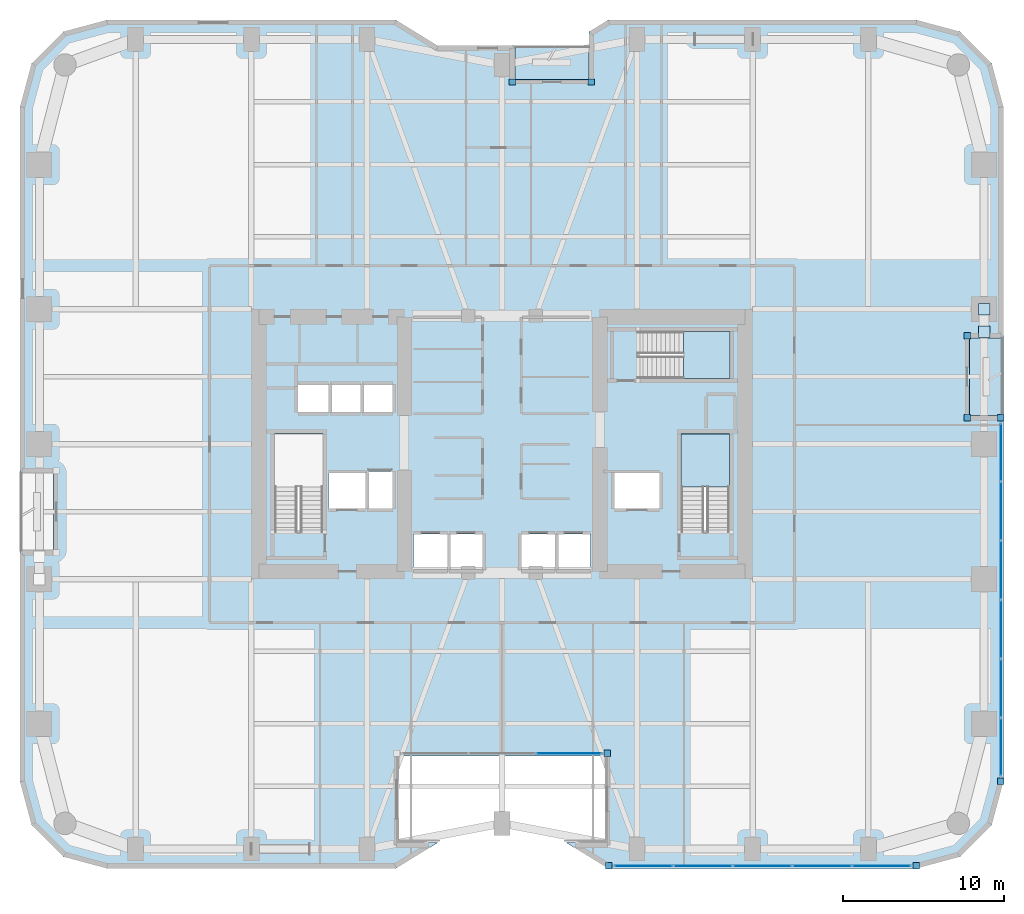
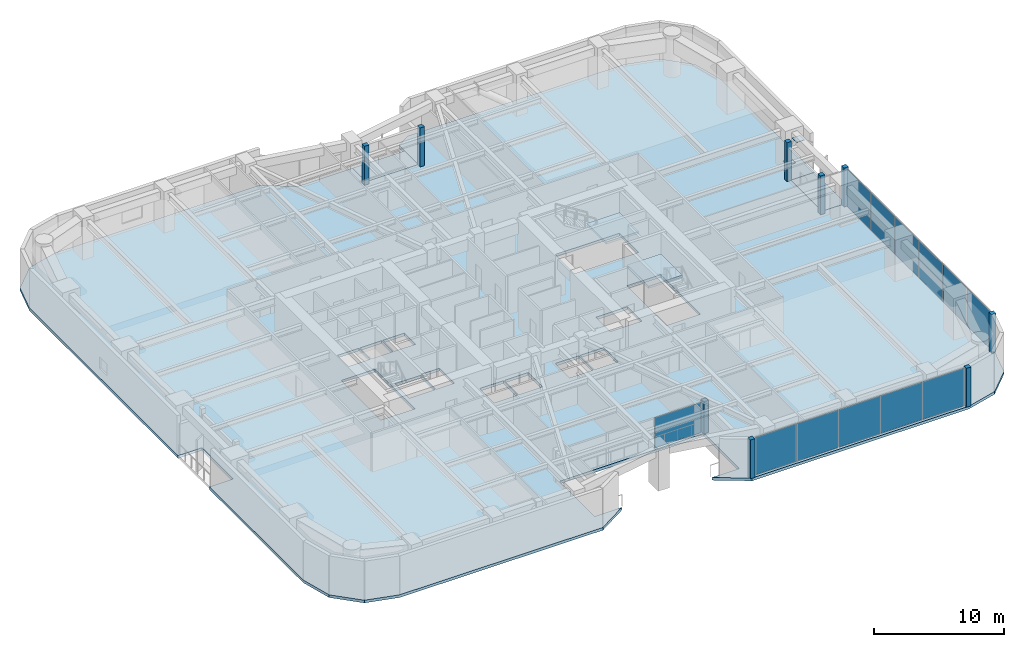
# One storey, part 16 of 26: 23 plates, 5 slabs, 5 elements without a shape of their own.
"""IFC4 building model written with IfcOpenShell, lengths in metres."""

import ifcopenshell
import ifcopenshell.guid

model = None  # the IFC model being written
_history = None  # IfcOwnerHistory: only IFC2X3 demands one
_inside = {}  # id of a spatial element -> (the spatial element, [elements in it])
_under = {}  # id of a project, library or spatial element -> (it, [spatial elements below it])
_declared = {}  # id of a project -> (the project, [libraries it declares])
_typed = {}  # id of a type object -> (the type object, [elements of that type])
_made_of = {}  # id of a material, layer set ... -> (it, [elements and type objects made of it])


def new_model(schema):
    """Start an empty IFC model of exactly this schema.

    Asked for "IFC4X3", IfcOpenShell would pick the latest addendum, in which some entities
    have other attributes; the version numbers below select the first issue.
    IFC2X3 requires an IfcOwnerHistory on every rooted entity: one is made here for all.
    """
    global model, _history
    if schema == "IFC4X3":
        model = ifcopenshell.file(schema_version=(4, 3, 0, 0))
    else:
        model = ifcopenshell.file(schema=schema)
    _inside.clear()
    _under.clear()
    _declared.clear()
    _typed.clear()
    _made_of.clear()
    _history = None
    if model.schema == "IFC2X3":
        org = make("IfcOrganization", Name="unknown")
        user = make(
            "IfcPersonAndOrganization",
            ThePerson=make("IfcPerson", FamilyName="unknown"),
            TheOrganization=org,
        )
        app = make(
            "IfcApplication",
            ApplicationDeveloper=org,
            Version="unknown",
            ApplicationFullName="unknown",
            ApplicationIdentifier="unknown",
        )
        _history = make(
            "IfcOwnerHistory",
            OwningUser=user,
            OwningApplication=app,
            ChangeAction="ADDED",
            CreationDate=0,
        )
    return model


def make(cls, **values):
    """One entity of the class cls with the attributes given. An attribute that is None is left unset."""
    return model.create_entity(
        cls, **{name: value for name, value in values.items() if value is not None}
    )


def rooted(cls, **values):
    """An entity with a GlobalId (a new one), such as an element, a storey or a relation."""
    return make(cls, GlobalId=ifcopenshell.guid.new(), OwnerHistory=_history, **values)


def si_unit(unit_type, name, prefix=None):
    """IfcSIUnit, for example si_unit("LENGTHUNIT", "METRE", prefix="MILLI")."""
    return make("IfcSIUnit", UnitType=unit_type, Prefix=prefix, Name=name)


def assignment(units):
    """IfcUnitAssignment: the units of a project."""
    return None if units is None else make("IfcUnitAssignment", Units=units)


def point(xyz):
    """IfcCartesianPoint."""
    return None if xyz is None else make("IfcCartesianPoint", Coordinates=xyz)


def direction(xyz):
    """IfcDirection."""
    return None if xyz is None else make("IfcDirection", DirectionRatios=xyz)


def frame(location, z_axis=None, x_axis=None):
    """IfcAxis2Placement3D, a coordinate frame: its origin and axes. An axis left out is left unset."""
    return make(
        "IfcAxis2Placement3D",
        Location=point(location),
        Axis=direction(z_axis),
        RefDirection=direction(x_axis),
    )


def frame_2d(location, x_axis=None):
    """IfcAxis2Placement2D, a coordinate frame in the plane: its origin and x axis."""
    return make(
        "IfcAxis2Placement2D", Location=point(location), RefDirection=direction(x_axis)
    )


def origin():
    """The frame at (0, 0, 0) with its axes left unset."""
    return frame((0.0, 0.0, 0.0))


def origin_2d():
    """The frame at (0, 0) in the plane with its x axis left unset."""
    return frame_2d((0.0, 0.0))


def place(relative_to, where):
    """IfcLocalPlacement: puts the frame where relative to a parent placement (None: the world)."""
    return make(
        "IfcLocalPlacement", PlacementRelTo=relative_to, RelativePlacement=where
    )


def context(
    kind, dimensions, precision=None, world=None, true_north=None, identifier=None
):
    """IfcGeometricRepresentationContext, for example the 3D "Model" context."""
    return make(
        "IfcGeometricRepresentationContext",
        ContextIdentifier=identifier,
        ContextType=kind,
        CoordinateSpaceDimension=dimensions,
        Precision=precision,
        WorldCoordinateSystem=world,
        TrueNorth=true_north,
    )


def subcontext(parent, identifier, kind, view, scale=None):
    """IfcGeometricRepresentationSubContext, for example "Body" below "Model"."""
    return make(
        "IfcGeometricRepresentationSubContext",
        ContextIdentifier=identifier,
        ContextType=kind,
        ParentContext=parent,
        TargetScale=scale,
        TargetView=view,
    )


def project(units=None, contexts=None):
    """IfcProject with its units and contexts."""
    return rooted(
        "IfcProject",
        Name="project",
        RepresentationContexts=contexts,
        UnitsInContext=assignment(units),
    )


def spatial(cls, under=None, at=None, **own):
    """A site, building, storey or space (cls), placed at a placement, below another one or the project."""
    s = rooted(cls, ObjectPlacement=at, **own)
    if under is not None:
        _under.setdefault(under.id(), (under, []))[1].append(s)
    return s


def polyline(points):
    """IfcPolyline through the points."""
    return make("IfcPolyline", Points=[point(p) for p in points])


def profile(cls, at=None, kind="AREA", **sizes):
    """A parametric profile (cls). Its sizes go by their IFC names, for example OverallWidth=200.0."""
    return make(cls, ProfileType=kind, Position=at, **sizes)


def rectangle(**sizes):
    """IfcRectangleProfileDef."""
    return profile("IfcRectangleProfileDef", **sizes)


def outline(outer, holes=None, kind="AREA"):
    """IfcArbitraryClosedProfileDef: a profile drawn as a closed curve; with holes, ...WithVoids."""
    if holes is None:
        return make("IfcArbitraryClosedProfileDef", ProfileType=kind, OuterCurve=outer)
    return make(
        "IfcArbitraryProfileDefWithVoids",
        ProfileType=kind,
        OuterCurve=outer,
        InnerCurves=holes,
    )


def extrude(swept, where, along, depth):
    """IfcExtrudedAreaSolid: the profile swept, set in the frame where, extruded along a direction by depth."""
    return make(
        "IfcExtrudedAreaSolid",
        SweptArea=swept,
        Position=where,
        ExtrudedDirection=direction(along),
        Depth=depth,
    )


def shape(context_of_items, identifier, shape_type, items):
    """IfcShapeRepresentation: the items that make up one representation, for example the "Body"."""
    return make(
        "IfcShapeRepresentation",
        ContextOfItems=context_of_items,
        RepresentationIdentifier=identifier,
        RepresentationType=shape_type,
        Items=items,
    )


def material(Name=None, Category=None):
    """IfcMaterial."""
    return make("IfcMaterial", Name=Name, Category=Category)


def layer(
    of_material, thickness, ventilated=None, Name=None, Category=None, Priority=None
):
    """IfcMaterialLayer: one layer of a wall or slab, of a material (None: an air gap)."""
    return make(
        "IfcMaterialLayer",
        Material=of_material,
        LayerThickness=thickness,
        IsVentilated=ventilated,
        Name=Name,
        Category=Category,
        Priority=Priority,
    )


def layer_set(layers, Name=None):
    """IfcMaterialLayerSet."""
    return make("IfcMaterialLayerSet", MaterialLayers=layers, LayerSetName=Name)


def made_of(thing, what):
    """Note that an element or type object is made of a material, layer set ...; save() writes the relation."""
    if what is not None:
        _made_of.setdefault(what.id(), (what, []))[1].append(thing)
    return thing


def type_object(cls, material=None, **own):
    """A type object (cls), such as IfcWallType, which elements share."""
    return made_of(rooted(cls, **own), material)


def element(
    cls,
    number,
    at=None,
    inside=None,
    cuts=None,
    type_object=None,
    material=None,
    context=None,
    identifier="Body",
    shape_type=None,
    held_by="IfcProductDefinitionShape",
    body=None,
    shapes=None,
    **own,
):
    """One element of the class cls, such as IfcWall. Its Tag is "e" and its number.

    at: its placement. inside: the storey or other place that contains it. cuts: it is an
    opening in that element (IfcRelVoidsElement). A single representation is given by context,
    identifier, shape_type and body (its items); several are given by shapes. held_by: the class
    of the entity that holds the representations. save() writes the other relations.
    """
    e = rooted(cls, Tag="e%d" % number, ObjectPlacement=at, **own)
    if body is not None:
        shapes = [shape(context, identifier, shape_type, body)]
    if shapes is not None:
        e.Representation = make(held_by, Representations=shapes)
    if inside is not None:
        _inside.setdefault(inside.id(), (inside, []))[1].append(e)
    if cuts is not None:
        rooted(
            "IfcRelVoidsElement", RelatingBuildingElement=cuts, RelatedOpeningElement=e
        )
    if type_object is not None:
        _typed.setdefault(type_object.id(), (type_object, []))[1].append(e)
    return made_of(e, material)


def aggregate(whole, parts):
    """IfcRelAggregates: a whole, such as a stair, and the parts it consists of."""
    return rooted("IfcRelAggregates", RelatingObject=whole, RelatedObjects=parts)


def save(model, path):
    """Write the relations noted so far, then the file.

    IfcRelAggregates (storeys below a building ...), IfcRelContainedInSpatialStructure (elements
    in a storey), IfcRelDefinesByType, IfcRelAssociatesMaterial and IfcRelDeclares: one each for
    every whole, place, type object, material and project.
    """
    for whole, parts in _under.values():
        aggregate(whole, parts)
    for where, things in _inside.values():
        rooted(
            "IfcRelContainedInSpatialStructure",
            RelatedElements=things,
            RelatingStructure=where,
        )
    for kind, things in _typed.values():
        rooted("IfcRelDefinesByType", RelatedObjects=things, RelatingType=kind)
    for what, things in _made_of.values():
        rooted("IfcRelAssociatesMaterial", RelatedObjects=things, RelatingMaterial=what)
    for by, libraries in _declared.values():
        rooted("IfcRelDeclares", RelatingContext=by, RelatedDefinitions=libraries)
    model.write(path)


model = new_model("IFC4")

# Units and contexts
model_context = context("Model", 3, precision=1e-05, world=origin(), true_north=direction((0.0, 1.0)))
body_context = subcontext(model_context, "Body", "Model", "MODEL_VIEW")
ifc_project = project(units=[si_unit("LENGTHUNIT", "METRE"), si_unit("AREAUNIT", "SQUARE_METRE"), si_unit("VOLUMEUNIT", "CUBIC_METRE"), si_unit("PLANEANGLEUNIT", "RADIAN"), si_unit("MASSUNIT", "GRAM", prefix="KILO")], contexts=[model_context])

# Site, building, storey
site_placement = place(None, origin())
site = spatial("IfcSite", under=ifc_project, at=site_placement, CompositionType="ELEMENT")
building_placement = place(site_placement, origin())
building = spatial("IfcBuilding", under=site, at=building_placement, Name="Kiyonajd Concourse Tower", CompositionType="ELEMENT")
storey_placement = place(building_placement, frame((0.0, 0.0, 72.89990234375)))
storey = spatial("IfcBuildingStorey", under=building, at=storey_placement, Name="L19", CompositionType="ELEMENT", Elevation=72.89990234375)

# Plates
ifc_material_1 = material(Name="Steel ASTM A572 Grade 50", Category="steel")
ifc_layer_1 = layer(ifc_material_1, 0.028076171875)
ifc_layer_set_1 = layer_set([ifc_layer_1], Name="Steel ASTM A572 Grade 50")
plate_type_1 = type_object("IfcPlateType", Name="PL-CAP-450", PredefinedType="USERDEFINED", material=ifc_layer_set_1)
for number, where, z_axis, x_axis, name in (
    (1, (78.0, 44.40478515625, 0.27587890625), (0.0, 0.0, 1.0), (1.0, 0.0, 0.0), "L19 Hollow Brace End Cap Plate PBE"),
    (2, (78.0, 42.995361328125, 3.2861328125), (0.0, 0.0, 1.0), (1.0, 0.0, 0.0), "L19 Hollow Brace Top Cap Plate PBE"),
):
    element("IfcPlate", number, at=place(storey_placement, frame(where, z_axis=z_axis, x_axis=x_axis)), inside=storey, type_object=plate_type_1, Name=name, ObjectType="CAP PLATE", PredefinedType="USERDEFINED", context=body_context, shape_type="SweptSolid", body=[
        extrude(rectangle(XDim=0.7099609375, YDim=0.7099609375, at=origin_2d()), origin(), (0.0, 0.0, 1.0), 0.028076171875),
    ])

# Curtain wall, plates
ifc_material_2 = material(Name="Thermally Broken Anodised Aluminium", Category="aluminium")
ifc_layer_2 = layer(ifc_material_2, 0.179931640625)
ifc_layer_set_2 = layer_set([ifc_layer_2], Name="Thermally Broken Anodised Aluminium")
curtain_wall_type = type_object("IfcCurtainWallType", Name="CW-SYS-02", PredefinedType="NOTDEFINED", material=ifc_layer_set_2)
curtain_wall_1_placement = place(storey_placement, origin())
curtain_wall_1 = element("IfcCurtainWall", 3, at=curtain_wall_1_placement, inside=storey, type_object=curtain_wall_type, Name="L19 Unitised Curtain Wall CW2", PredefinedType="NOTDEFINED")
ifc_material_3 = material(Name="Double Low-E Insulated Glass", Category="glass")
ifc_layer_3 = layer(ifc_material_3, 0.028076171875)
ifc_layer_set_3 = layer_set([ifc_layer_3], Name="Double Low-E Insulated Glass")
plate_type_2 = type_object("IfcPlateType", Name="PL-CW-VIS28", PredefinedType="CURTAIN_PANEL", material=ifc_layer_set_3)
plate_1_placement = place(storey_placement, frame((79.0400390625, 35.4970703125, 0.06494140625), z_axis=(0.0, 0.0, 1.0), x_axis=(0.0, -1.0, 0.0)))
plate_1 = element("IfcPlate", 4, at=plate_1_placement, type_object=plate_type_2, Name="CW2 panel 1.1", PredefinedType="CURTAIN_PANEL", context=body_context, shape_type="SweptSolid", body=[
    extrude(rectangle(XDim=3.57568359375, YDim=0.028076171875, at=origin_2d()), origin(), (0.0, 0.0, 1.0), 3.510009765625),
])
plate_2_placement = place(storey_placement, frame((79.0400390625, 31.84033203125, 0.06494140625), z_axis=(0.0, 0.0, 1.0), x_axis=(0.0, -1.0, 0.0)))
plate_2 = element("IfcPlate", 5, at=plate_2_placement, type_object=plate_type_2, Name="CW2 panel 2.1", PredefinedType="CURTAIN_PANEL", context=body_context, shape_type="SweptSolid", body=[
    extrude(rectangle(XDim=3.608154296875, YDim=0.028076171875, at=origin_2d()), origin(), (0.0, 0.0, 1.0), 3.510009765625),
])
plate_3_placement = place(storey_placement, frame((79.0400390625, 28.167236328125, 0.06494140625), z_axis=(0.0, 0.0, 1.0), x_axis=(0.0, -1.0, 0.0)))
plate_3 = element("IfcPlate", 6, at=plate_3_placement, type_object=plate_type_2, Name="CW2 panel 3.1", PredefinedType="CURTAIN_PANEL", context=body_context, shape_type="SweptSolid", body=[
    extrude(rectangle(XDim=3.608154296875, YDim=0.028076171875, at=origin_2d()), origin(), (0.0, 0.0, 1.0), 3.510009765625),
])
plate_4_placement = place(storey_placement, frame((79.0400390625, 24.493896484375, 0.06494140625), z_axis=(0.0, 0.0, 1.0), x_axis=(0.0, -1.0, 0.0)))
plate_4 = element("IfcPlate", 7, at=plate_4_placement, type_object=plate_type_2, Name="CW2 panel 4.1", PredefinedType="CURTAIN_PANEL", context=body_context, shape_type="SweptSolid", body=[
    extrude(rectangle(XDim=3.608154296875, YDim=0.028076171875, at=origin_2d()), origin(), (0.0, 0.0, 1.0), 3.510009765625),
])
plate_5_placement = place(storey_placement, frame((79.0400390625, 20.82080078125, 0.06494140625), z_axis=(0.0, 0.0, 1.0), x_axis=(0.0, -1.0, 0.0)))
plate_5 = element("IfcPlate", 8, at=plate_5_placement, type_object=plate_type_2, Name="CW2 panel 5.1", PredefinedType="CURTAIN_PANEL", context=body_context, shape_type="SweptSolid", body=[
    extrude(rectangle(XDim=3.608154296875, YDim=0.028076171875, at=origin_2d()), origin(), (0.0, 0.0, 1.0), 3.510009765625),
])
plate_6_placement = place(storey_placement, frame((79.0400390625, 17.163818359375, 0.06494140625), z_axis=(0.0, 0.0, 1.0), x_axis=(0.0, -1.0, 0.0)))
plate_6 = element("IfcPlate", 9, at=plate_6_placement, type_object=plate_type_2, Name="CW2 panel 6.1", PredefinedType="CURTAIN_PANEL", context=body_context, shape_type="SweptSolid", body=[
    extrude(rectangle(XDim=3.57568359375, YDim=0.028076171875, at=origin_2d()), origin(), (0.0, 0.0, 1.0), 3.510009765625),
])
aggregate(curtain_wall_1, [plate_1, plate_2, plate_3, plate_4, plate_5, plate_6])

curtain_wall_2_placement = place(storey_placement, origin())
curtain_wall_2 = element("IfcCurtainWall", 10, at=curtain_wall_2_placement, inside=storey, type_object=curtain_wall_type, Name="L19 Unitised Curtain Wall CW2", PredefinedType="NOTDEFINED")
plate_7_placement = place(storey_placement, frame((71.6171875, 9.760009765625, 0.06494140625), z_axis=(0.0, 0.0, 1.0), x_axis=(-1.0, 0.0, 0.0)))
plate_7 = element("IfcPlate", 11, at=plate_7_placement, type_object=plate_type_2, Name="CW2 panel 1.1", PredefinedType="CURTAIN_PANEL", context=body_context, shape_type="SweptSolid", body=[
    extrude(rectangle(XDim=3.61328125, YDim=0.028076171875, at=origin_2d()), origin(), (0.0, 0.0, 1.0), 3.510009765625),
])
plate_8_placement = place(storey_placement, frame((67.9228515625, 9.760009765625, 0.06494140625), z_axis=(0.0, 0.0, 1.0), x_axis=(-1.0, 0.0, 0.0)))
plate_8 = element("IfcPlate", 12, at=plate_8_placement, type_object=plate_type_2, Name="CW2 panel 2.1", PredefinedType="CURTAIN_PANEL", context=body_context, shape_type="SweptSolid", body=[
    extrude(rectangle(XDim=3.645751953125, YDim=0.028076171875, at=origin_2d()), origin(), (0.0, 0.0, 1.0), 3.510009765625),
])
plate_9_placement = place(storey_placement, frame((64.212158203125, 9.760009765625, 0.06494140625), z_axis=(0.0, 0.0, 1.0), x_axis=(-1.0, 0.0, 0.0)))
plate_9 = element("IfcPlate", 13, at=plate_9_placement, type_object=plate_type_2, Name="CW2 panel 3.1", PredefinedType="CURTAIN_PANEL", context=body_context, shape_type="SweptSolid", body=[
    extrude(rectangle(XDim=3.645751953125, YDim=0.028076171875, at=origin_2d()), origin(), (0.0, 0.0, 1.0), 3.510009765625),
])
plate_10_placement = place(storey_placement, frame((60.50146484375, 9.760009765625, 0.06494140625), z_axis=(0.0, 0.0, 1.0), x_axis=(-1.0, 0.0, 0.0)))
plate_10 = element("IfcPlate", 14, at=plate_10_placement, type_object=plate_type_2, Name="CW2 panel 4.1", PredefinedType="CURTAIN_PANEL", context=body_context, shape_type="SweptSolid", body=[
    extrude(rectangle(XDim=3.645751953125, YDim=0.028076171875, at=origin_2d()), origin(), (0.0, 0.0, 1.0), 3.510009765625),
])
plate_11_placement = place(storey_placement, frame((56.806884765625, 9.760009765625, 0.06494140625), z_axis=(0.0, 0.0, 1.0), x_axis=(-1.0, 0.0, 0.0)))
plate_11 = element("IfcPlate", 15, at=plate_11_placement, type_object=plate_type_2, Name="CW2 panel 5.1", PredefinedType="CURTAIN_PANEL", context=body_context, shape_type="SweptSolid", body=[
    extrude(rectangle(XDim=3.61328125, YDim=0.028076171875, at=origin_2d()), origin(), (0.0, 0.0, 1.0), 3.510009765625),
])
aggregate(curtain_wall_2, [plate_7, plate_8, plate_9, plate_10, plate_11])

# Curtain wall, plate
curtain_wall_3_placement = place(storey_placement, origin())
curtain_wall_3 = element("IfcCurtainWall", 16, at=curtain_wall_3_placement, inside=storey, type_object=curtain_wall_type, Name="L19 Unitised Curtain Wall CW2", PredefinedType="NOTDEFINED")
plate_12_placement = place(storey_placement, frame((52.163818359375, 16.760009765625, 0.06494140625), z_axis=(0.0, 0.0, 1.0), x_axis=(-1.0, 0.0, 0.0)))
plate_12 = element("IfcPlate", 17, at=plate_12_placement, type_object=plate_type_2, Name="CW2 panel 1.1", PredefinedType="CURTAIN_PANEL", context=body_context, shape_type="SweptSolid", body=[
    extrude(rectangle(XDim=4.08251953125, YDim=0.028076171875, at=origin_2d()), origin(), (0.0, 0.0, 1.0), 2.800048828125),
])
aggregate(curtain_wall_3, [plate_12])

# Plates
ifc_layer_4 = layer(ifc_material_2, 0.39990234375)
ifc_layer_set_4 = layer_set([ifc_layer_4], Name="Thermally Broken Anodised Aluminium")
plate_type_3 = type_object("IfcPlateType", Name="PL-JMB-400", PredefinedType="USERDEFINED", material=ifc_layer_set_4)
for number, where, z_axis, x_axis, name in (
    (18, (76.93994140625, 42.760009765625, 0.0), (0.0, 0.0, 1.0), (1.0, 0.0, 0.0), "L19 Facade Jamb Closure Plate 01"),
    (19, (76.93994140625, 37.639892578125, 0.0), (0.0, 0.0, 1.0), (1.0, 0.0, 0.0), "L19 Facade Jamb Closure Plate 02"),
    (20, (79.0400390625, 37.639892578125, 0.0), (0.0, 0.0, 1.0), (1.0, 0.0, 0.0), "L19 Facade Jamb Closure Plate 03"),
    (21, (79.0400390625, 15.02099609375, 0.0), (0.0, 0.0, 1.0), (1.0, 0.0, 0.0), "L19 Facade Jamb Closure Plate 04"),
    (22, (73.77880859375, 9.760009765625, 0.0), (0.0, 0.0, 1.0), (1.0, 0.0, 0.0), "L19 Facade Jamb Closure Plate 05"),
    (23, (54.645263671875, 9.760009765625, 0.0), (0.0, 0.0, 1.0), (1.0, 0.0, 0.0), "L19 Facade Jamb Closure Plate 06"),
):
    element("IfcPlate", number, at=place(storey_placement, frame(where, z_axis=z_axis, x_axis=x_axis)), inside=storey, type_object=plate_type_3, Name=name, ObjectType="JAMB PLATE", PredefinedType="USERDEFINED", context=body_context, shape_type="SweptSolid", body=[
        extrude(rectangle(XDim=0.39990234375, YDim=0.39990234375, at=origin_2d()), origin(), (0.0, 0.0, 1.0), 3.639892578125),
    ])
plate_13_placement = place(storey_placement, frame((54.56005859375, 16.760009765625, 0.000244140625), z_axis=(0.0, 0.0, 1.0), x_axis=(1.0, 0.0, 0.0)))
element("IfcPlate", 24, at=plate_13_placement, inside=storey, type_object=plate_type_3, Name="L19 Facade Jamb Closure Plate 07", ObjectType="JAMB PLATE", PredefinedType="USERDEFINED", context=body_context, shape_type="SweptSolid", body=[
    extrude(rectangle(XDim=0.39990234375, YDim=0.39990234375, at=origin_2d()), origin(), (0.0, 0.0, 1.0), 3.0029296875),
])
for number, where, z_axis, x_axis, name in (
    (25, (48.639892578125, 58.5400390625, 0.0), (0.0, 0.0, 1.0), (1.0, 0.0, 0.0), "L19 Facade Jamb Closure Plate 11"),
    (26, (53.56005859375, 58.5400390625, 0.0), (0.0, 0.0, 1.0), (1.0, 0.0, 0.0), "L19 Facade Jamb Closure Plate 12"),
):
    element("IfcPlate", number, at=place(storey_placement, frame(where, z_axis=z_axis, x_axis=x_axis)), inside=storey, type_object=plate_type_3, Name=name, ObjectType="JAMB PLATE", PredefinedType="USERDEFINED", context=body_context, shape_type="SweptSolid", body=[
        extrude(rectangle(XDim=0.39990234375, YDim=0.39990234375, at=origin_2d()), origin(), (0.0, 0.0, 1.0), 3.639892578125),
    ])

# Stair, slab
ifc_material_4 = material(Name="Concrete C40/50", Category="concrete")
stair_type = type_object("IfcStairType", Name="ST-DLG-22R", PredefinedType="HALF_TURN_STAIR", material=ifc_material_4)
stair_1_placement = place(storey_placement, origin())
stair_1 = element("IfcStair", 27, at=stair_1_placement, inside=storey, type_object=stair_type, Name="L19 Protected Exit Stair ST2", PredefinedType="HALF_TURN_STAIR")
ifc_layer_5 = layer(ifc_material_4, 0.199951171875)
ifc_layer_set_5 = layer_set([ifc_layer_5], Name="Concrete C40/50")
slab_type_1 = type_object("IfcSlabType", Name="SL-LND-200", PredefinedType="LANDING", material=ifc_layer_set_5)
slab_1_placement = place(storey_placement, frame((0.0, 0.0, 1.75)))
slab_1 = element("IfcSlab", 28, at=slab_1_placement, type_object=slab_type_1, Name="ST2 landing 1", PredefinedType="LANDING", context=body_context, shape_type="SweptSolid", body=[
    extrude(outline(polyline([(62.14990234375, 33.35009765625), (62.14990234375, 36.64990234375), (59.14990234375, 36.64990234375), (59.14990234375, 33.35009765625), (62.14990234375, 33.35009765625)])), origin(), (0.0, 0.0, 1.0), 0.2001953125),
])
aggregate(stair_1, [slab_1])

stair_2_placement = place(storey_placement, origin())
stair_2 = element("IfcStair", 29, at=stair_2_placement, inside=storey, type_object=stair_type, Name="L19 Protected Exit Stair ST3", PredefinedType="HALF_TURN_STAIR")
slab_2_placement = place(storey_placement, frame((0.0, 0.0, 1.75)))
slab_2 = element("IfcSlab", 30, at=slab_2_placement, type_object=slab_type_1, Name="ST3 landing 1", PredefinedType="LANDING", context=body_context, shape_type="SweptSolid", body=[
    extrude(outline(polyline([(59.280029296875, 40.080078125), (62.179931640625, 40.080078125), (62.179931640625, 43.02001953125), (59.280029296875, 43.02001953125), (59.280029296875, 40.080078125)])), origin(), (0.0, 0.0, 1.0), 0.2001953125),
])
aggregate(stair_2, [slab_2])

# Slabs
ifc_material_5 = material(Name="Precast concrete C50/60", Category="concrete")
ifc_layer_6 = layer(ifc_material_5, 0.199951171875)
ifc_layer_set_6 = layer_set([ifc_layer_6], Name="Precast concrete C50/60")
slab_type_2 = type_object("IfcSlabType", Name="SL-LOG-200", PredefinedType="FLOOR", material=ifc_layer_set_6)
slab_3_placement = place(storey_placement, frame((0.0, 0.0, -0.199951171875)))
element("IfcSlab", 31, at=slab_3_placement, inside=storey, type_object=slab_type_2, Name="L19 Recessed Engawa Loggia Terrace Slab LOG-N", PredefinedType="FLOOR", context=body_context, shape_type="SweptSolid", body=[
    extrude(outline(polyline([(48.800048828125, 58.699951171875), (53.39990234375, 58.699951171875), (53.39990234375, 60.800048828125), (48.800048828125, 60.800048828125), (48.800048828125, 58.699951171875)])), origin(), (0.0, 0.0, 1.0), 0.199951171875),
])
slab_4_placement = place(storey_placement, frame((0.0, 0.0, -0.199951171875)))
element("IfcSlab", 32, at=slab_4_placement, inside=storey, type_object=slab_type_2, Name="L19 Recessed Engawa Loggia Terrace Slab LOG-E", PredefinedType="FLOOR", context=body_context, shape_type="SweptSolid", body=[
    extrude(outline(polyline([(77.10009765625, 37.800048828125), (79.199951171875, 37.800048828125), (79.199951171875, 42.60009765625), (77.10009765625, 42.60009765625), (77.10009765625, 37.800048828125)])), origin(), (0.0, 0.0, 1.0), 0.199951171875),
])
ifc_layer_7 = layer(ifc_material_4, 0.260009765625)
ifc_layer_set_7 = layer_set([ifc_layer_7], Name="Concrete C40/50")
slab_type_3 = type_object("IfcSlabType", Name="SL-TWR-260", PredefinedType="FLOOR", material=ifc_layer_set_7)
slab_5_placement = place(storey_placement, frame((0.0, 0.0, -0.260009765625)))
element("IfcSlab", 33, at=slab_5_placement, inside=storey, type_object=slab_type_3, Name="L19 Tower Conditioned Floor Slab", PredefinedType="FLOOR", context=body_context, shape_type="SweptSolid", body=[
    extrude(outline(polyline([(78.47705078125, 59.699951171875), (79.199951171875, 57.0), (79.199951171875, 42.60009765625), (77.10009765625, 42.60009765625), (77.10009765625, 37.800048828125), (79.199951171875, 37.800048828125), (79.199951171875, 15.0), (78.47705078125, 12.300048828125), (76.5, 10.322998046875), (73.800048828125, 9.60009765625), (54.60009765625, 9.60009765625), (52.0, 11.199951171875), (54.39990234375, 11.199951171875), (54.39990234375, 16.60009765625), (41.60009765625, 16.60009765625), (41.60009765625, 11.199951171875), (44.0, 11.199951171875), (41.39990234375, 9.60009765625), (23.39990234375, 9.60009765625), (20.699951171875, 10.322998046875), (18.722900390625, 12.300048828125), (18.0, 15.0), (18.0, 29.39990234375), (20.10009765625, 29.39990234375), (20.10009765625, 34.199951171875), (18.0, 34.199951171875), (18.0, 57.0), (18.722900390625, 59.699951171875), (20.699951171875, 61.677001953125), (23.39990234375, 62.39990234375), (41.39990234375, 62.39990234375), (44.0, 60.800048828125), (48.800048828125, 60.800048828125), (48.800048828125, 58.699951171875), (53.39990234375, 58.699951171875), (53.39990234375, 61.662109375), (54.60009765625, 62.39990234375), (73.800048828125, 62.39990234375), (76.5, 61.677001953125), (78.47705078125, 59.699951171875)]), holes=[polyline([(44.60009765625, 28.199951171875), (42.5, 28.199951171875), (42.5, 30.39990234375), (44.60009765625, 30.39990234375), (44.60009765625, 28.199951171875)]), polyline([(37.199951171875, 32.0), (37.199951171875, 34.199951171875), (39.5, 34.199951171875), (39.5, 32.0), (37.199951171875, 32.0)]), polyline([(39.60009765625, 32.0), (39.60009765625, 34.300048828125), (41.199951171875, 34.300048828125), (41.199951171875, 32.0), (39.60009765625, 32.0)]), polyline([(36.85009765625, 30.550048828125), (33.85009765625, 30.550048828125), (33.85009765625, 36.64990234375), (36.85009765625, 36.64990234375), (36.85009765625, 30.550048828125)]), polyline([(35.300048828125, 38.0), (35.300048828125, 39.699951171875), (37.199951171875, 39.699951171875), (37.199951171875, 38.0), (35.300048828125, 38.0)]), polyline([(37.300048828125, 38.0), (37.300048828125, 39.699951171875), (39.199951171875, 39.699951171875), (39.199951171875, 38.0), (37.300048828125, 38.0)]), polyline([(41.199951171875, 38.0), (39.300048828125, 38.0), (39.300048828125, 39.699951171875), (41.199951171875, 39.699951171875), (41.199951171875, 38.0)]), polyline([(44.699951171875, 28.199951171875), (44.699951171875, 30.39990234375), (46.800048828125, 30.39990234375), (46.800048828125, 28.199951171875), (44.699951171875, 28.199951171875)]), polyline([(49.199951171875, 28.199951171875), (49.199951171875, 30.39990234375), (51.300048828125, 30.39990234375), (51.300048828125, 28.199951171875), (49.199951171875, 28.199951171875)]), polyline([(51.39990234375, 28.199951171875), (51.39990234375, 30.39990234375), (53.5, 30.39990234375), (53.5, 28.199951171875), (51.39990234375, 28.199951171875)]), polyline([(55.0, 32.0), (55.0, 34.199951171875), (57.800048828125, 34.199951171875), (57.800048828125, 32.0), (55.0, 32.0)]), polyline([(59.14990234375, 30.550048828125), (59.14990234375, 36.64990234375), (62.14990234375, 36.64990234375), (62.14990234375, 30.550048828125), (59.14990234375, 30.550048828125)]), polyline([(56.47998046875, 43.02001953125), (62.179931640625, 43.02001953125), (62.179931640625, 40.080078125), (56.47998046875, 40.080078125), (56.47998046875, 43.02001953125)])]), origin(), (0.0, 0.0, 1.0), 0.260009765625),
])

save(model, "model.ifc")
